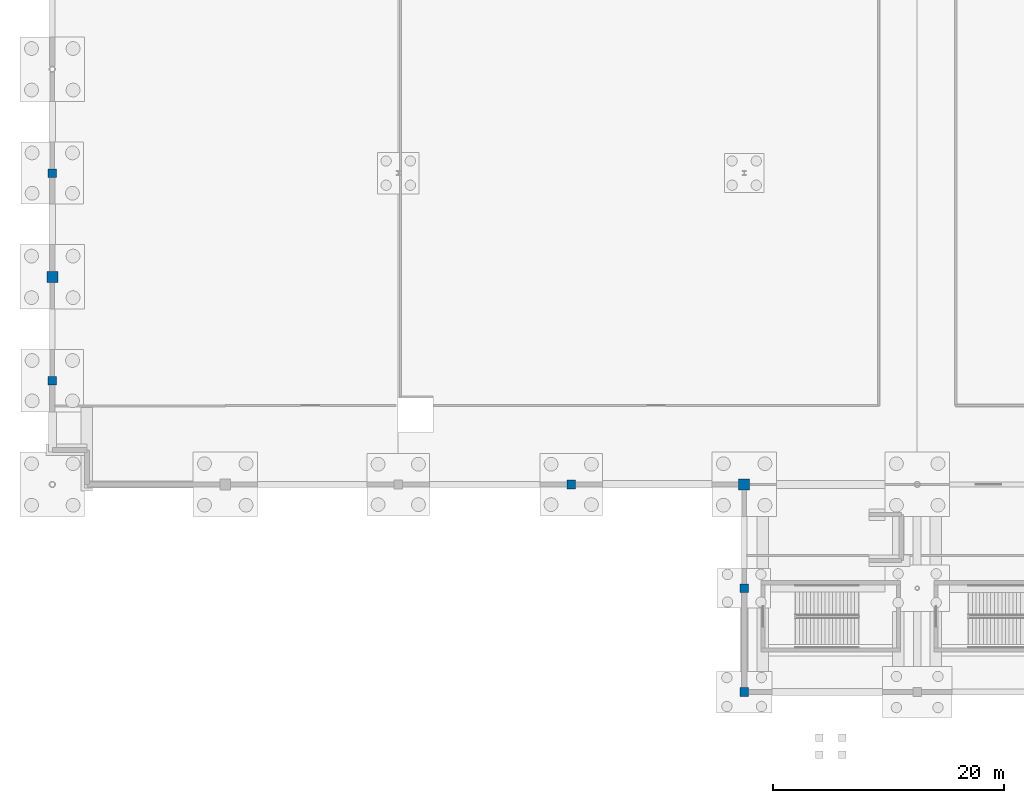
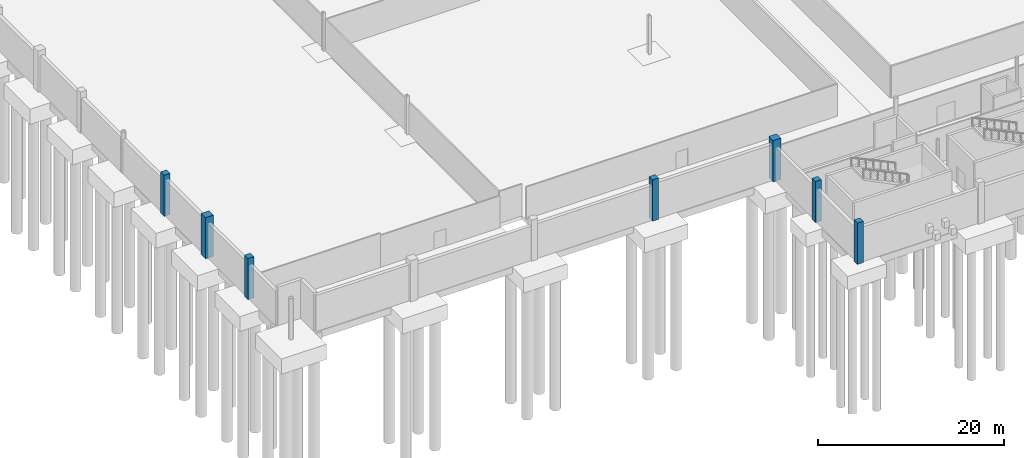
# One storey, part 13 of 58: 7 columns.
"""IFC4 building model written with IfcOpenShell, lengths in metres."""

from ifc_helpers import new_model, si_unit, direction, frame, origin, origin_2d, place, context, subcontext, project, spatial, rectangle, extrude, material, material_profile, profile_set, type_object, element, save


model = new_model("IFC4")

# Units and contexts
model_context = context("Model", 3, precision=1e-05, world=origin(), true_north=direction((0.0, 1.0)))
body_context = subcontext(model_context, "Body", "Model", "MODEL_VIEW")
ifc_project = project(units=[si_unit("LENGTHUNIT", "METRE"), si_unit("AREAUNIT", "SQUARE_METRE"), si_unit("VOLUMEUNIT", "CUBIC_METRE"), si_unit("PLANEANGLEUNIT", "RADIAN"), si_unit("MASSUNIT", "GRAM", prefix="KILO")], contexts=[model_context])

# Site, building, storey
site_placement = place(None, origin())
site = spatial("IfcSite", under=ifc_project, at=site_placement, CompositionType="ELEMENT")
building_placement = place(site_placement, origin())
building = spatial("IfcBuilding", under=site, at=building_placement, Name="Qamarlyn Nura Convention Centre", CompositionType="ELEMENT")
storey_placement = place(building_placement, frame((0.0, 0.0, -5.39990234375)))
storey = spatial("IfcBuildingStorey", under=building, at=storey_placement, Name="B01", CompositionType="ELEMENT", Elevation=-5.39990234375)

# Columns
ifc_material = material(Name="Concrete C50/60", Category="concrete")
ifc_material_profile_1 = material_profile(ifc_material, rectangle(XDim=0.949951171875, YDim=0.949951171875, at=origin_2d()), Name="RC 950x950")
ifc_profile_set_1 = profile_set([ifc_material_profile_1], Name="Concrete C50/60")
column_type_1 = type_object("IfcColumnType", Name="COL-HALL-2", PredefinedType="COLUMN", material=ifc_profile_set_1)
for number, where, z_axis, x_axis, name in (
    (1, (0.0, 36.0, 0.0), (0.0, 0.0, 1.0), (1.0, 0.0, 0.0), "B01 column 1/E"),
    (2, (60.0, 18.0, 0.0), (0.0, 0.0, 1.0), (1.0, 0.0, 0.0), "B01 column 5/C"),
):
    element("IfcColumn", number, at=place(storey_placement, frame(where, z_axis=z_axis, x_axis=x_axis)), inside=storey, type_object=column_type_1, Name=name, PredefinedType="COLUMN", context=body_context, shape_type="SweptSolid", body=[
        extrude(rectangle(XDim=0.949951171875, YDim=0.949951171875, at=origin_2d()), origin(), (0.0, 0.0, 1.0), 5.39990234375),
    ])
ifc_material_profile_2 = material_profile(ifc_material, rectangle(XDim=0.75, YDim=0.75, at=origin_2d()), Name="RC 750x750")
ifc_profile_set_2 = profile_set([ifc_material_profile_2], Name="Concrete C50/60")
column_type_2 = type_object("IfcColumnType", Name="COL-SUB-2", PredefinedType="COLUMN", material=ifc_profile_set_2)
for number, where, z_axis, x_axis, name in (
    (3, (0.0, 27.0, 0.0), (0.0, 0.0, 1.0), (1.0, 0.0, 0.0), "B01 column 1/D"),
    (4, (0.0, 45.0, 0.0), (0.0, 0.0, 1.0), (1.0, 0.0, 0.0), "B01 column 1/F"),
    (5, (45.0, 18.0, 0.0), (0.0, 0.0, 1.0), (1.0, 0.0, 0.0), "B01 column 4/C"),
    (6, (60.0, 0.0, 0.0), (0.0, 0.0, 1.0), (1.0, 0.0, 0.0), "B01 column 5/A"),
    (7, (60.0, 9.0, 0.0), (0.0, 0.0, 1.0), (1.0, 0.0, 0.0), "B01 column 5/B"),
):
    element("IfcColumn", number, at=place(storey_placement, frame(where, z_axis=z_axis, x_axis=x_axis)), inside=storey, type_object=column_type_2, Name=name, PredefinedType="COLUMN", context=body_context, shape_type="SweptSolid", body=[
        extrude(rectangle(XDim=0.75, YDim=0.75, at=origin_2d()), origin(), (0.0, 0.0, 1.0), 5.39990234375),
    ])

save(model, "model.ifc")
